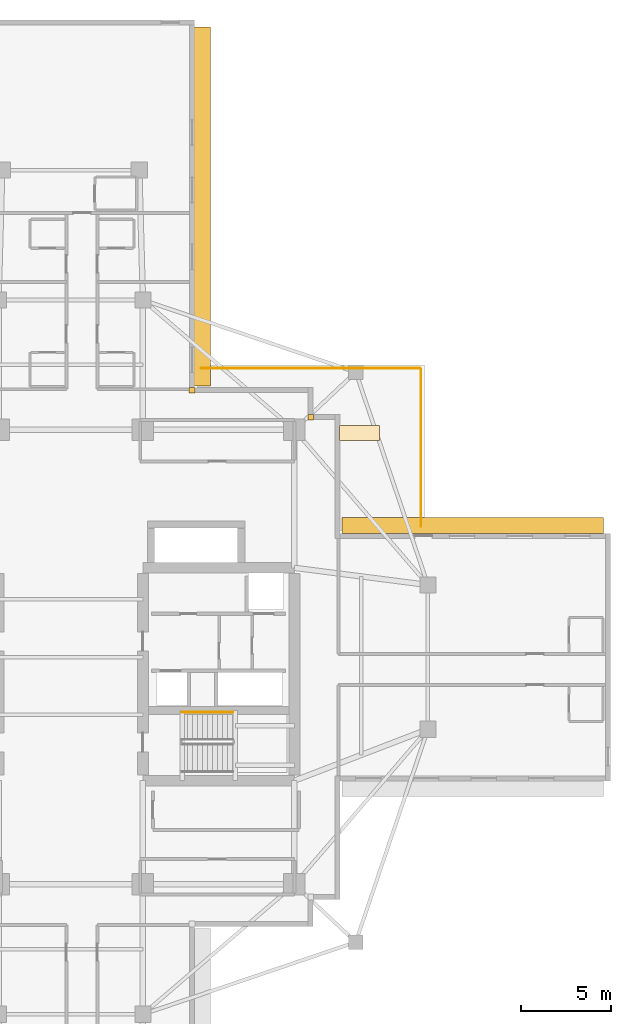
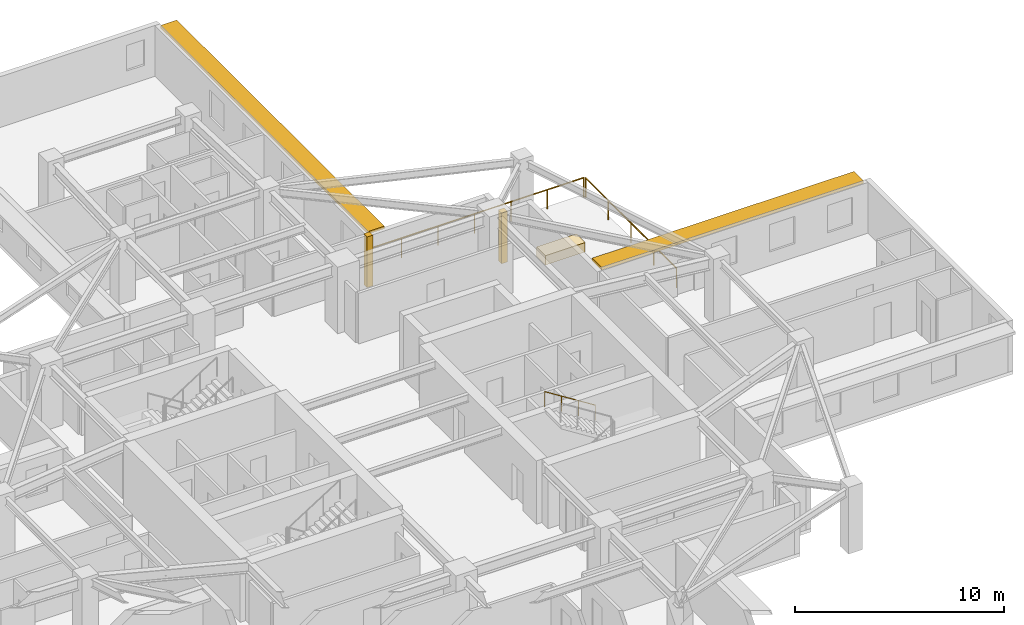
# One storey, part 13 of 13: 3 coverings, 3 railings, 2 shading devices.
"""IFC4 building model written with IfcOpenShell, lengths in metres."""

from ifc_helpers import new_model, si_unit, direction, frame, origin, origin_2d, place, context, subcontext, project, spatial, rectangle, circle, extrude, material, layer, layer_set, type_object, element, save


model = new_model("IFC4")

# Units and contexts
model_context = context("Model", 3, precision=1e-05, world=origin(), true_north=direction((0.0, 1.0)))
body_context = subcontext(model_context, "Body", "Model", "MODEL_VIEW")
ifc_project = project(units=[si_unit("LENGTHUNIT", "METRE"), si_unit("AREAUNIT", "SQUARE_METRE"), si_unit("VOLUMEUNIT", "CUBIC_METRE"), si_unit("PLANEANGLEUNIT", "RADIAN"), si_unit("MASSUNIT", "GRAM", prefix="KILO")], contexts=[model_context])

# Site, building, storey
site_placement = place(None, origin())
site = spatial("IfcSite", under=ifc_project, at=site_placement, CompositionType="ELEMENT")
building_placement = place(site_placement, origin())
building = spatial("IfcBuilding", under=site, at=building_placement, Name="Qingluan Cross Belvedere", CompositionType="ELEMENT")
storey_placement = place(building_placement, frame((0.0, 0.0, 183.89990234375)))
storey = spatial("IfcBuildingStorey", under=building, at=storey_placement, Name="L46", CompositionType="ELEMENT", Elevation=183.89990234375)

# Coverings
ifc_material_1 = material(Name="Precast concrete C45", Category="concrete")
ifc_layer_1 = layer(ifc_material_1, 0.1201171875, Name="ConcreteSpandrelCladding_120")
ifc_layer_set_1 = layer_set([ifc_layer_1], Name="Precast concrete C45")
covering_type_1 = type_object("IfcCoveringType", Name="ConcreteSpandrelCladding_120", PredefinedType="CLADDING", material=ifc_layer_set_1)
for number, where, z_axis, x_axis, name in (
    (1, (13.300048828125, 13.300048828125, 0.0), (0.0, 0.0, 1.0), (1.0, 0.0, 0.0), "Corner closure L46-NE1"),
    (2, (6.719970703125, 14.800048828125, 0.0), (0.0, 0.0, 1.0), (1.0, 0.0, 0.0), "Corner closure L46-NE2"),
):
    element("IfcCovering", number, at=place(storey_placement, frame(where, z_axis=z_axis, x_axis=x_axis)), inside=storey, type_object=covering_type_1, Name=name, PredefinedType="CLADDING", context=body_context, shape_type="SweptSolid", body=[
        extrude(rectangle(XDim=0.320068359375, YDim=0.320068359375, at=origin_2d()), origin(), (0.0, 0.0, 1.0), 2.969970703125),
    ])

# Shading devices
ifc_material_2 = material(Name="Precast concrete C45", Category="concrete")
ifc_layer_2 = layer(ifc_material_2, 0.159912109375, Name="ConcreteSunshadeBand_900")
ifc_layer_set_2 = layer_set([ifc_layer_2], Name="Precast concrete C45")
shading_device_type = type_object("IfcShadingDeviceType", Name="ConcreteSunshadeBand_900", PredefinedType="USERDEFINED", material=ifc_layer_set_2)
shading_device_1_placement = place(storey_placement, frame((22.2900390625, 7.2900390625, 2.7900390625), z_axis=(0.0, 0.0, 1.0), x_axis=(-1.0, 0.0, 0.0)))
element("IfcShadingDevice", 3, at=shading_device_1_placement, inside=storey, type_object=shading_device_type, Name="Concrete SUNSHADE L46-EB", ObjectType="SUNSHADE", PredefinedType="USERDEFINED", context=body_context, shape_type="SweptSolid", body=[
    extrude(rectangle(XDim=14.5, YDim=0.89990234375, at=origin_2d()), origin(), (0.0, 0.0, 1.0), 0.159912109375),
])
shading_device_2_placement = place(storey_placement, frame((7.2900390625, 24.989990234375, 2.7900390625), z_axis=(0.0, 0.0, 1.0), x_axis=(0.0, 1.0, 0.0)))
element("IfcShadingDevice", 4, at=shading_device_2_placement, inside=storey, type_object=shading_device_type, Name="Concrete SUNSHADE L46-NA", ObjectType="SUNSHADE", PredefinedType="USERDEFINED", context=body_context, shape_type="SweptSolid", body=[
    extrude(rectangle(XDim=19.89990234375, YDim=0.89990234375, at=origin_2d()), origin(), (0.0, 0.0, 1.0), 0.159912109375),
])

# Railings
ifc_material_3 = material(Name="Brushed stainless steel tubular handrail", Category="steel")
railing_type_1 = type_object("IfcRailingType", Name="StairPitchHandrail_900", PredefinedType="HANDRAIL", material=ifc_material_3)
railing_1_placement = place(storey_placement, frame((8.97998046875, -3.050048828125, 2.12744140625)))
element("IfcRailing", 5, at=railing_1_placement, inside=storey, type_object=railing_type_1, Name="L46 ST2 stair handrail 2", PredefinedType="HANDRAIL", context=body_context, shape_type="SweptSolid", body=[
    extrude(circle(Radius=0.02392578125, at=origin_2d()), frame((0.0, 0.0, 0.8759765625), z_axis=(-0.844908973607, 0.0, 0.534910110503), x_axis=(0.0, -1.0, 0.0)), (0.0, 0.0, 1.0), 3.31396484375),
    extrude(circle(Radius=0.02099609375, at=origin_2d()), origin(), (0.0, 0.0, 1.0), 0.851806640625),
    extrude(circle(Radius=0.02099609375, at=origin_2d()), frame((-0.933349609375, 0.0, 0.5908203125)), (0.0, 0.0, 1.0), 0.851806640625),
    extrude(circle(Radius=0.02099609375, at=origin_2d()), frame((-1.86669921875, 0.0, 1.181884765625)), (0.0, 0.0, 1.0), 0.851806640625),
    extrude(circle(Radius=0.02099609375, at=origin_2d()), frame((-2.800048828125, 0.0, 1.772705078125)), (0.0, 0.0, 1.0), 0.851806640625),
])
ifc_material_4 = material(Name="Laminated glass and stainless steel balustrade", Category="steel")
railing_type_2 = type_object("IfcRailingType", Name="TerraceGuardBalustrade_1150", PredefinedType="BALUSTRADE", material=ifc_material_4)
railing_2_placement = place(storey_placement, frame((7.239990234375, 16.02001953125, 0.0)))
element("IfcRailing", 6, at=railing_2_placement, inside=storey, type_object=railing_type_2, Name="Terrace guard L46-1", PredefinedType="BALUSTRADE", context=body_context, shape_type="SweptSolid", body=[
    extrude(circle(Radius=0.02392578125, at=origin_2d()), frame((0.0, 0.0, 1.1259765625), z_axis=(1.0, 0.0, 0.0), x_axis=(0.0, 1.0, 0.0)), (0.0, 0.0, 1.0), 12.1201171875),
    extrude(circle(Radius=0.02099609375, at=origin_2d()), origin(), (0.0, 0.0, 1.0), 1.101806640625),
    extrude(circle(Radius=0.02099609375, at=origin_2d()), frame((2.02001953125, 0.0, 0.0)), (0.0, 0.0, 1.0), 1.101806640625),
    extrude(circle(Radius=0.02099609375, at=origin_2d()), frame((4.0400390625, 0.0, 0.0)), (0.0, 0.0, 1.0), 1.101806640625),
    extrude(circle(Radius=0.02099609375, at=origin_2d()), frame((6.06005859375, 0.0, 0.0)), (0.0, 0.0, 1.0), 1.101806640625),
    extrude(circle(Radius=0.02099609375, at=origin_2d()), frame((8.080078125, 0.0, 0.0)), (0.0, 0.0, 1.0), 1.101806640625),
    extrude(circle(Radius=0.02099609375, at=origin_2d()), frame((10.10009765625, 0.0, 0.0)), (0.0, 0.0, 1.0), 1.101806640625),
    extrude(circle(Radius=0.02099609375, at=origin_2d()), frame((12.1201171875, 0.0, 0.0)), (0.0, 0.0, 1.0), 1.101806640625),
])
railing_3_placement = place(storey_placement, frame((19.419921875, 15.9599609375, 0.0)))
element("IfcRailing", 7, at=railing_3_placement, inside=storey, type_object=railing_type_2, Name="Terrace guard L46-2", PredefinedType="BALUSTRADE", context=body_context, shape_type="SweptSolid", body=[
    extrude(circle(Radius=0.02392578125, at=origin_2d()), frame((0.0, 0.0, 1.1259765625), z_axis=(0.0, -1.0, 0.0), x_axis=(1.0, 0.0, 0.0)), (0.0, 0.0, 1.0), 8.719970703125),
    extrude(circle(Radius=0.02099609375, at=origin_2d()), origin(), (0.0, 0.0, 1.0), 1.101806640625),
    extrude(circle(Radius=0.02099609375, at=origin_2d()), frame((0.0, -2.179931640625, 0.0)), (0.0, 0.0, 1.0), 1.101806640625),
    extrude(circle(Radius=0.02099609375, at=origin_2d()), frame((0.0, -4.35986328125, 0.0)), (0.0, 0.0, 1.0), 1.101806640625),
    extrude(circle(Radius=0.02099609375, at=origin_2d()), frame((0.0, -6.5400390625, 0.0)), (0.0, 0.0, 1.0), 1.101806640625),
    extrude(circle(Radius=0.02099609375, at=origin_2d()), frame((0.0, -8.719970703125, 0.0)), (0.0, 0.0, 1.0), 1.101806640625),
])

# Covering
ifc_material_5 = material(Name="Precast concrete C40", Category="concrete")
ifc_layer_3 = layer(ifc_material_5, 0.550048828125, Name="TerracePlanterBox")
ifc_layer_set_3 = layer_set([ifc_layer_3], Name="Precast concrete C40")
covering_type_2 = type_object("IfcCoveringType", Name="TerracePlanterBox", PredefinedType="USERDEFINED", material=ifc_layer_set_3)
covering_placement = place(storey_placement, frame((16.010009765625, 12.425048828125, 0.0), z_axis=(0.0, 0.0, 1.0), x_axis=(1.0, 0.0, 0.0)))
element("IfcCovering", 8, at=covering_placement, inside=storey, type_object=covering_type_2, Name="Spiralling winter-garden planter L46", ObjectType="PLANTER", PredefinedType="USERDEFINED", context=body_context, shape_type="SweptSolid", body=[
    extrude(rectangle(XDim=2.199951171875, YDim=0.85009765625, at=origin_2d()), origin(), (0.0, 0.0, 1.0), 0.550048828125),
])

save(model, "model.ifc")
